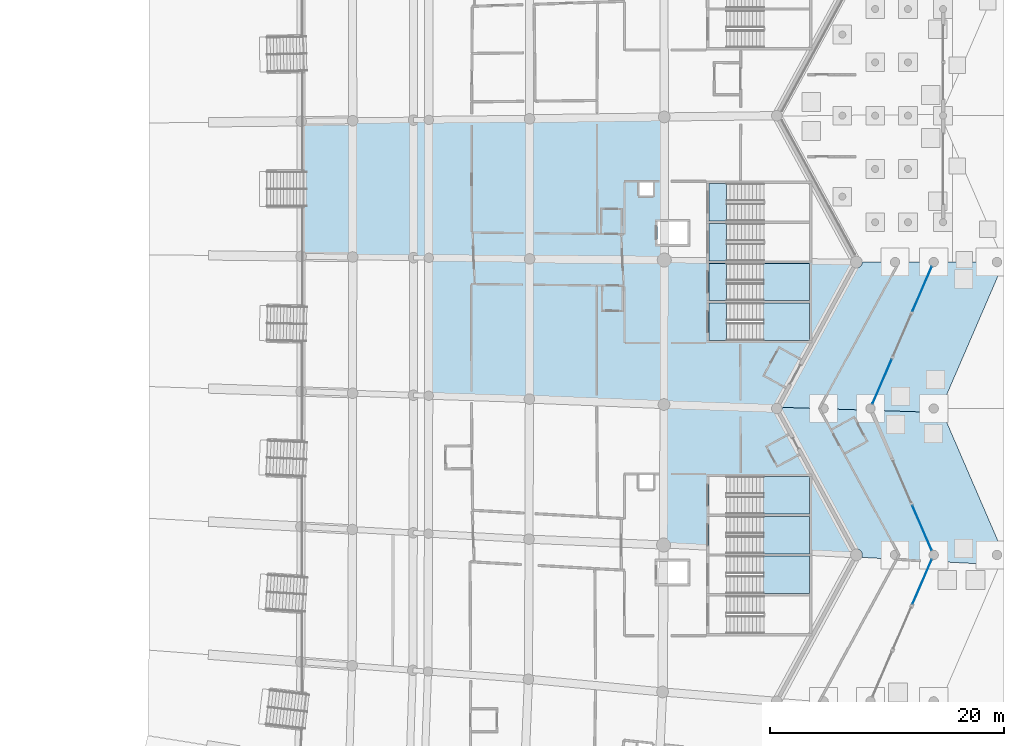
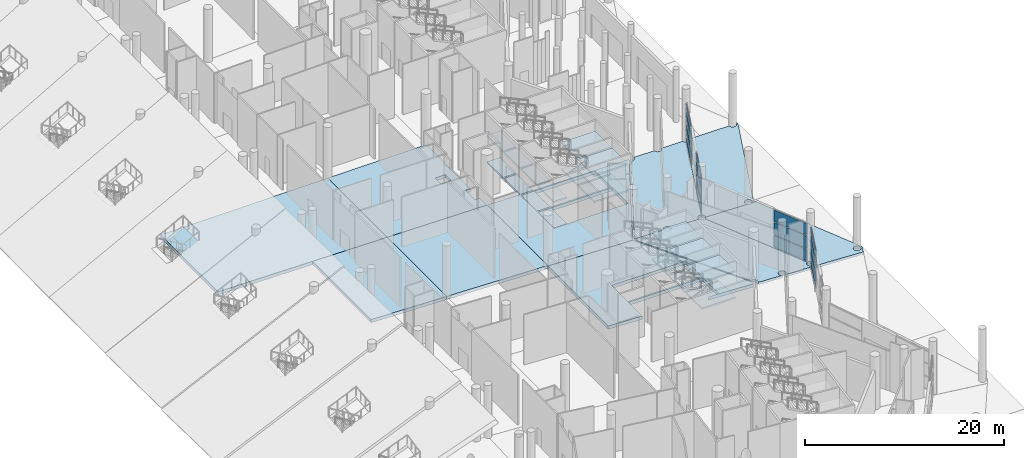
# One storey, part 84 of 255: 28 slabs, 12 plates, 11 elements without a shape of their own.
"""IFC4 building model written with IfcOpenShell, lengths in metres."""

from ifc_helpers import new_model, si_unit, direction, frame, origin, origin_2d, place, context, subcontext, project, spatial, polyline, rectangle, outline, extrude, material, layer, layer_set, type_object, element, aggregate, save


model = new_model("IFC4")

# Units and contexts
model_context = context("Model", 3, precision=1e-05, world=origin(), true_north=direction((0.0, 1.0)))
body_context = subcontext(model_context, "Body", "Model", "MODEL_VIEW")
ifc_project = project(units=[si_unit("LENGTHUNIT", "METRE"), si_unit("AREAUNIT", "SQUARE_METRE"), si_unit("VOLUMEUNIT", "CUBIC_METRE"), si_unit("PLANEANGLEUNIT", "RADIAN"), si_unit("MASSUNIT", "GRAM", prefix="KILO")], contexts=[model_context])

# Site, building, storey
site_placement = place(None, origin())
site = spatial("IfcSite", under=ifc_project, at=site_placement, CompositionType="ELEMENT")
building_placement = place(site_placement, origin())
building = spatial("IfcBuilding", under=site, at=building_placement, Name="Meseta Stadium", CompositionType="ELEMENT")
storey_placement = place(building_placement, origin())
storey = spatial("IfcBuildingStorey", under=building, at=storey_placement, Name="L00", CompositionType="ELEMENT", Elevation=0.0)

# Slabs
ifc_material_1 = material(Name="Concrete C40/50", Category="concrete")
ifc_layer_1 = layer(ifc_material_1, 0.39990234375)
ifc_layer_set_1 = layer_set([ifc_layer_1], Name="Floor slab 400")
slab_type_1 = type_object("IfcSlabType", Name="Floor slab 400", PredefinedType="FLOOR", material=ifc_layer_set_1)
slab_1_placement = place(storey_placement, frame((0.0, 0.0, -0.39990234375)))
element("IfcSlab", 1, at=slab_1_placement, inside=storey, type_object=slab_type_1, Name="Floor slab L00 sector 00 panel 07", PredefinedType="FLOOR", context=body_context, shape_type="SweptSolid", body=[
    extrude(outline(polyline([(73.498046875, 5.981201171875), (53.999267578125, 5.767578125), (53.999267578125, -5.767578125), (73.498046875, -5.981201171875), (73.498046875, 5.981201171875)])), origin(), (0.0, 0.0, 1.0), 0.39990234375),
])
slab_2_placement = place(storey_placement, frame((0.0, 0.0, -0.39990234375)))
element("IfcSlab", 2, at=slab_2_placement, inside=storey, type_object=slab_type_1, Name="Floor slab L00 sector 00 panel 11", PredefinedType="FLOOR", context=body_context, shape_type="SweptSolid", body=[
    extrude(outline(polyline([(73.498046875, -5.981201171875), (64.898681640625, -5.886962890625), (64.88720703125, -17.660888671875), (73.482421875, -17.943603515625), (73.498046875, -5.981201171875)])), origin(), (0.0, 0.0, 1.0), 0.39990234375),
])
slab_3_placement = place(storey_placement, frame((0.0, 0.0, -0.39990234375)))
element("IfcSlab", 3, at=slab_3_placement, inside=storey, type_object=slab_type_1, Name="Floor slab L00 sector 00 panel 17", PredefinedType="FLOOR", context=body_context, shape_type="SweptSolid", body=[
    extrude(outline(polyline([(84.99755859375, -6.107421875), (84.99755859375, -4.699951171875), (84.39990234375, -4.699951171875), (84.39990234375, -2.800048828125), (84.997314453125, -2.800048828125), (84.9970703125, 6.107421875), (73.498046875, 5.981201171875), (73.498046875, -5.981201171875), (84.99755859375, -6.107421875)]), holes=[polyline([(82.85009765625, 0.60009765625), (84.050048828125, 0.60009765625), (84.050048828125, -0.60009765625), (82.85009765625, -0.60009765625), (82.85009765625, 0.60009765625)])]), origin(), (0.0, 0.0, 1.0), 0.39990234375),
])
slab_4_placement = place(storey_placement, frame((0.0, 0.0, -0.39990234375)))
element("IfcSlab", 4, at=slab_4_placement, inside=storey, type_object=slab_type_1, Name="Floor slab L00 sector 00 panel 19", PredefinedType="FLOOR", context=body_context, shape_type="SweptSolid", body=[
    extrude(outline(polyline([(84.99755859375, -6.107421875), (73.498046875, -5.981201171875), (73.482421875, -17.943603515625), (84.973388671875, -18.321533203125), (84.99755859375, -6.107421875)])), origin(), (0.0, 0.0, 1.0), 0.39990234375),
])
slab_5_placement = place(storey_placement, frame((0.0, 0.0, -0.39990234375)))
element("IfcSlab", 5, at=slab_5_placement, inside=storey, type_object=slab_type_1, Name="Floor slab L00 sector 00 panel 20", PredefinedType="FLOOR", context=body_context, shape_type="SweptSolid", body=[
    extrude(outline(polyline([(84.97314453125, -18.41064453125), (94.60009765625, -18.75), (101.3798828125, -6.287109375), (88.8798828125, -6.14990234375), (88.800048828125, -6.14990234375), (88.800048828125, -6.149169921875), (84.99755859375, -6.107421875), (84.97314453125, -18.41064453125)]), holes=[polyline([(88.800048828125, -9.75), (97.39990234375, -9.75), (97.39990234375, -12.949951171875), (88.800048828125, -12.949951171875), (88.800048828125, -9.75)]), polyline([(97.39990234375, -6.35009765625), (97.39990234375, -9.550048828125), (88.800048828125, -9.550048828125), (88.800048828125, -6.35009765625), (97.39990234375, -6.35009765625)])]), origin(), (0.0, 0.0, 1.0), 0.39990234375),
])
slab_6_placement = place(storey_placement, frame((0.0, 0.0, -0.39990234375)))
element("IfcSlab", 6, at=slab_6_placement, inside=storey, type_object=slab_type_1, Name="Floor slab L00 sector 00 panel 21", PredefinedType="FLOOR", context=body_context, shape_type="SweptSolid", body=[
    extrude(outline(polyline([(96.176025390625, -31.14990234375), (101.301513671875, -31.430908203125), (101.39990234375, -31.25), (94.60009765625, -18.75), (84.97314453125, -18.41064453125), (84.939697265625, -30.533935546875), (88.800048828125, -30.74560546875), (88.800048828125, -27.949951171875), (97.39990234375, -27.949951171875), (97.39990234375, -31.14990234375), (96.176025390625, -31.14990234375)]), holes=[polyline([(97.39990234375, -27.75), (88.800048828125, -27.75), (88.800048828125, -24.550048828125), (97.39990234375, -24.550048828125), (97.39990234375, -27.75)])]), origin(), (0.0, 0.0, 1.0), 0.39990234375),
])
ifc_material_2 = material(Name="Concrete C40/50", Category="concrete")
ifc_layer_2 = layer(ifc_material_2, 0.300048828125)
ifc_layer_set_2 = layer_set([ifc_layer_2], Name="Passage paving slab 300")
slab_type_2 = type_object("IfcSlabType", Name="Passage paving slab 300", PredefinedType="FLOOR", material=ifc_layer_set_2)
slab_7_placement = place(storey_placement, frame((0.0, 0.0, -0.300048828125)))
element("IfcSlab", 7, at=slab_7_placement, inside=storey, type_object=slab_type_2, Name="Covered passage paving 8 part 2 panel 03", PredefinedType="FLOOR", context=body_context, shape_type="SweptSolid", body=[
    extrude(outline(polyline([(108.60009765625, -18.75), (114.0, -6.25), (113.803466796875, -6.25), (113.789794921875, -6.3544921875), (113.761474609375, -6.4228515625), (113.74951171875, -6.45166015625), (113.685302734375, -6.535400390625), (113.601806640625, -6.599365234375), (113.50439453125, -6.6396484375), (113.39990234375, -6.653564453125), (113.295654296875, -6.6396484375), (113.1982421875, -6.599365234375), (113.11474609375, -6.535400390625), (113.050537109375, -6.45166015625), (113.035400390625, -6.414794921875), (113.01025390625, -6.3544921875), (112.99658203125, -6.25), (108.403564453125, -6.25), (108.3896484375, -6.3544921875), (108.349365234375, -6.45166015625), (108.285400390625, -6.535400390625), (108.20166015625, -6.599365234375), (108.1044921875, -6.6396484375), (108.0, -6.653564453125), (107.8955078125, -6.6396484375), (107.84130859375, -6.6171875), (102.758544921875, -18.3828125), (102.8017578125, -18.400634765625), (102.88525390625, -18.464599609375), (102.949462890625, -18.54833984375), (102.98974609375, -18.6455078125), (103.00341796875, -18.75), (102.98974609375, -18.8544921875), (102.96533203125, -18.913330078125), (107.761474609375, -19.071044921875), (107.714599609375, -19.035400390625), (107.650634765625, -18.95166015625), (107.6103515625, -18.8544921875), (107.596435546875, -18.75), (107.6103515625, -18.6455078125), (107.650634765625, -18.54833984375), (107.714599609375, -18.464599609375), (107.79833984375, -18.400634765625), (107.8955078125, -18.3603515625), (108.0, -18.346435546875), (108.1044921875, -18.3603515625), (108.20166015625, -18.400634765625), (108.285400390625, -18.464599609375), (108.349365234375, -18.54833984375), (108.3896484375, -18.6455078125), (108.403564453125, -18.75), (108.3896484375, -18.8544921875), (108.349365234375, -18.95166015625), (108.285400390625, -19.035400390625), (108.218994140625, -19.086181640625), (108.752685546875, -19.103759765625), (108.60009765625, -18.75)])), origin(), (0.0, 0.0, 1.0), 0.300048828125),
])
slab_8_placement = place(storey_placement, frame((0.0, 0.0, -0.300048828125)))
element("IfcSlab", 8, at=slab_8_placement, inside=storey, type_object=slab_type_2, Name="Covered passage paving 8 part 2 panel 04", PredefinedType="FLOOR", context=body_context, shape_type="SweptSolid", body=[
    extrude(outline(polyline([(113.6298828125, -32.10693359375), (114.0, -31.25), (108.752685546875, -19.103759765625), (108.218994140625, -19.086181640625), (108.20166015625, -19.099365234375), (108.1044921875, -19.1396484375), (108.0, -19.153564453125), (107.8955078125, -19.1396484375), (107.79833984375, -19.099365234375), (107.761474609375, -19.071044921875), (102.96533203125, -18.913330078125), (102.949462890625, -18.95166015625), (102.88525390625, -19.035400390625), (102.8017578125, -19.099365234375), (102.758544921875, -19.1171875), (107.84130859375, -30.8828125), (107.8955078125, -30.8603515625), (108.0, -30.846435546875), (108.1044921875, -30.8603515625), (108.20166015625, -30.900634765625), (108.285400390625, -30.964599609375), (108.349365234375, -31.04833984375), (108.3896484375, -31.1455078125), (108.403564453125, -31.25), (108.3896484375, -31.3544921875), (108.349365234375, -31.45166015625), (108.285400390625, -31.535400390625), (108.20166015625, -31.599365234375), (108.1044921875, -31.6396484375), (108.0, -31.653564453125), (107.8955078125, -31.6396484375), (107.84130859375, -31.6171875), (107.768798828125, -31.78564453125), (113.6298828125, -32.10693359375)]), holes=[polyline([(113.601806640625, -31.599365234375), (113.50439453125, -31.6396484375), (113.39990234375, -31.653564453125), (113.295654296875, -31.6396484375), (113.1982421875, -31.599365234375), (113.11474609375, -31.535400390625), (113.050537109375, -31.45166015625), (113.01025390625, -31.3544921875), (112.99658203125, -31.25), (113.01025390625, -31.1455078125), (113.050537109375, -31.04833984375), (113.11474609375, -30.964599609375), (113.1982421875, -30.900634765625), (113.295654296875, -30.8603515625), (113.39990234375, -30.846435546875), (113.50439453125, -30.8603515625), (113.601806640625, -30.900634765625), (113.685302734375, -30.964599609375), (113.74951171875, -31.04833984375), (113.789794921875, -31.1455078125), (113.803466796875, -31.25), (113.789794921875, -31.3544921875), (113.74951171875, -31.45166015625), (113.685302734375, -31.535400390625), (113.601806640625, -31.599365234375)])]), origin(), (0.0, 0.0, 1.0), 0.300048828125),
])

# Curtain wall, plates
ifc_material_3 = material(Name="Aluminium", Category="aluminium")
ifc_layer_3 = layer(ifc_material_3, 0.199951171875)
ifc_layer_set_3 = layer_set([ifc_layer_3], Name="Ring shopfront curtain wall")
curtain_wall_type = type_object("IfcCurtainWallType", Name="Ring shopfront curtain wall", PredefinedType="NOTDEFINED", material=ifc_layer_set_3)
curtain_wall_1_placement = place(storey_placement, origin())
curtain_wall_1 = element("IfcCurtainWall", 9, at=curtain_wall_1_placement, inside=storey, type_object=curtain_wall_type, Name="Shopfront glazing F01b", PredefinedType="NOTDEFINED")
ifc_material_4 = material(Name="Glass", Category="glass")
ifc_layer_4 = layer(ifc_material_4, 0.035888671875)
ifc_layer_set_4 = layer_set([ifc_layer_4], Name="Ring CW glass panel 36")
plate_type = type_object("IfcPlateType", Name="Ring CW glass panel 36", PredefinedType="CURTAIN_PANEL", material=ifc_layer_set_4)
plate_1_placement = place(storey_placement, frame((107.0068359375, -33.548828125, 0.150146484375), z_axis=(0.0, 0.0, 1.0), x_axis=(0.396576208678, 0.918001803218, 0.0)))
plate_1 = element("IfcPlate", 10, at=plate_1_placement, type_object=plate_type, Name="CWR1 panel 1.1", PredefinedType="CURTAIN_PANEL", context=body_context, shape_type="SweptSolid", body=[
    extrude(rectangle(XDim=4.08837890625, YDim=0.035888671875, at=origin_2d()), origin(), (0.0, 0.0, 1.0), 1.3916015625),
])
plate_2_placement = place(storey_placement, frame((107.0068359375, -33.548828125, 1.69189453125), z_axis=(0.0, 0.0, 1.0), x_axis=(0.396576208678, 0.918001803218, 0.0)))
plate_2 = element("IfcPlate", 11, at=plate_2_placement, type_object=plate_type, Name="CWR1 panel 1.2", PredefinedType="CURTAIN_PANEL", context=body_context, shape_type="SweptSolid", body=[
    extrude(rectangle(XDim=4.08837890625, YDim=0.035888671875, at=origin_2d()), origin(), (0.0, 0.0, 1.0), 1.466552734375),
])
plate_3_placement = place(storey_placement, frame((107.0068359375, -33.548828125, 3.308349609375), z_axis=(0.0, 0.0, 1.0), x_axis=(0.396576208678, 0.918001803218, 0.0)))
plate_3 = element("IfcPlate", 12, at=plate_3_placement, type_object=plate_type, Name="CWR1 panel 1.3", PredefinedType="CURTAIN_PANEL", context=body_context, shape_type="SweptSolid", body=[
    extrude(rectangle(XDim=4.08837890625, YDim=0.035888671875, at=origin_2d()), origin(), (0.0, 0.0, 1.0), 1.3916015625),
])
aggregate(curtain_wall_1, [plate_1, plate_2, plate_3])

curtain_wall_2_placement = place(storey_placement, origin())
curtain_wall_2 = element("IfcCurtainWall", 13, at=curtain_wall_2_placement, inside=storey, type_object=curtain_wall_type, Name="Shopfront glazing F02a", PredefinedType="NOTDEFINED")
plate_4_placement = place(storey_placement, frame((107.0068359375, -28.951171875, 0.150146484375), z_axis=(0.0, 0.0, 1.0), x_axis=(-0.396576208678, 0.918001803218, 0.0)))
plate_4 = element("IfcPlate", 14, at=plate_4_placement, type_object=plate_type, Name="CWR1 panel 1.1", PredefinedType="CURTAIN_PANEL", context=body_context, shape_type="SweptSolid", body=[
    extrude(rectangle(XDim=4.08837890625, YDim=0.035888671875, at=origin_2d()), origin(), (0.0, 0.0, 1.0), 1.3916015625),
])
plate_5_placement = place(storey_placement, frame((107.0068359375, -28.951171875, 1.69189453125), z_axis=(0.0, 0.0, 1.0), x_axis=(-0.396576208678, 0.918001803218, 0.0)))
plate_5 = element("IfcPlate", 15, at=plate_5_placement, type_object=plate_type, Name="CWR1 panel 1.2", PredefinedType="CURTAIN_PANEL", context=body_context, shape_type="SweptSolid", body=[
    extrude(rectangle(XDim=4.08837890625, YDim=0.035888671875, at=origin_2d()), origin(), (0.0, 0.0, 1.0), 1.466552734375),
])
plate_6_placement = place(storey_placement, frame((107.0068359375, -28.951171875, 3.308349609375), z_axis=(0.0, 0.0, 1.0), x_axis=(-0.396576208678, 0.918001803218, 0.0)))
plate_6 = element("IfcPlate", 16, at=plate_6_placement, type_object=plate_type, Name="CWR1 panel 1.3", PredefinedType="CURTAIN_PANEL", context=body_context, shape_type="SweptSolid", body=[
    extrude(rectangle(XDim=4.08837890625, YDim=0.035888671875, at=origin_2d()), origin(), (0.0, 0.0, 1.0), 1.3916015625),
])
aggregate(curtain_wall_2, [plate_4, plate_5, plate_6])

curtain_wall_3_placement = place(storey_placement, origin())
curtain_wall_3 = element("IfcCurtainWall", 17, at=curtain_wall_3_placement, inside=storey, type_object=curtain_wall_type, Name="Shopfront glazing F03a", PredefinedType="NOTDEFINED")
plate_7_placement = place(storey_placement, frame((103.593017578125, -16.451171875, 0.150146484375), z_axis=(0.0, 0.0, 1.0), x_axis=(0.396576208678, 0.918001803218, 0.0)))
plate_7 = element("IfcPlate", 18, at=plate_7_placement, type_object=plate_type, Name="CWR1 panel 1.1", PredefinedType="CURTAIN_PANEL", context=body_context, shape_type="SweptSolid", body=[
    extrude(rectangle(XDim=4.08837890625, YDim=0.035888671875, at=origin_2d()), origin(), (0.0, 0.0, 1.0), 1.3916015625),
])
plate_8_placement = place(storey_placement, frame((103.593017578125, -16.451171875, 1.69189453125), z_axis=(0.0, 0.0, 1.0), x_axis=(0.396576208678, 0.918001803218, 0.0)))
plate_8 = element("IfcPlate", 19, at=plate_8_placement, type_object=plate_type, Name="CWR1 panel 1.2", PredefinedType="CURTAIN_PANEL", context=body_context, shape_type="SweptSolid", body=[
    extrude(rectangle(XDim=4.08837890625, YDim=0.035888671875, at=origin_2d()), origin(), (0.0, 0.0, 1.0), 1.466552734375),
])
plate_9_placement = place(storey_placement, frame((103.593017578125, -16.451171875, 3.308349609375), z_axis=(0.0, 0.0, 1.0), x_axis=(0.396576208678, 0.918001803218, 0.0)))
plate_9 = element("IfcPlate", 20, at=plate_9_placement, type_object=plate_type, Name="CWR1 panel 1.3", PredefinedType="CURTAIN_PANEL", context=body_context, shape_type="SweptSolid", body=[
    extrude(rectangle(XDim=4.08837890625, YDim=0.035888671875, at=origin_2d()), origin(), (0.0, 0.0, 1.0), 1.3916015625),
])
aggregate(curtain_wall_3, [plate_7, plate_8, plate_9])

curtain_wall_4_placement = place(storey_placement, origin())
curtain_wall_4 = element("IfcCurtainWall", 21, at=curtain_wall_4_placement, inside=storey, type_object=curtain_wall_type, Name="Shopfront glazing F03b", PredefinedType="NOTDEFINED")
plate_10_placement = place(storey_placement, frame((107.0068359375, -8.548828125, 0.150146484375), z_axis=(0.0, 0.0, 1.0), x_axis=(0.396576208678, 0.918001803218, 0.0)))
plate_10 = element("IfcPlate", 22, at=plate_10_placement, type_object=plate_type, Name="CWR1 panel 1.1", PredefinedType="CURTAIN_PANEL", context=body_context, shape_type="SweptSolid", body=[
    extrude(rectangle(XDim=4.08837890625, YDim=0.035888671875, at=origin_2d()), origin(), (0.0, 0.0, 1.0), 1.3916015625),
])
plate_11_placement = place(storey_placement, frame((107.0068359375, -8.548828125, 1.69189453125), z_axis=(0.0, 0.0, 1.0), x_axis=(0.396576208678, 0.918001803218, 0.0)))
plate_11 = element("IfcPlate", 23, at=plate_11_placement, type_object=plate_type, Name="CWR1 panel 1.2", PredefinedType="CURTAIN_PANEL", context=body_context, shape_type="SweptSolid", body=[
    extrude(rectangle(XDim=4.08837890625, YDim=0.035888671875, at=origin_2d()), origin(), (0.0, 0.0, 1.0), 1.466552734375),
])
plate_12_placement = place(storey_placement, frame((107.0068359375, -8.548828125, 3.308349609375), z_axis=(0.0, 0.0, 1.0), x_axis=(0.396576208678, 0.918001803218, 0.0)))
plate_12 = element("IfcPlate", 24, at=plate_12_placement, type_object=plate_type, Name="CWR1 panel 1.3", PredefinedType="CURTAIN_PANEL", context=body_context, shape_type="SweptSolid", body=[
    extrude(rectangle(XDim=4.08837890625, YDim=0.035888671875, at=origin_2d()), origin(), (0.0, 0.0, 1.0), 1.3916015625),
])
aggregate(curtain_wall_4, [plate_10, plate_11, plate_12])

# Slabs
ifc_material_5 = material(Name="Concrete C30/37", Category="concrete")
ifc_layer_5 = layer(ifc_material_5, 0.300048828125)
ifc_layer_set_5 = layer_set([ifc_layer_5], Name="Ring grade slab 300")
slab_type_3 = type_object("IfcSlabType", Name="Ring grade slab 300", PredefinedType="BASESLAB", material=ifc_layer_set_5)
slab_9_placement = place(storey_placement, frame((0.0, 0.0, -0.300048828125)))
element("IfcSlab", 25, at=slab_9_placement, inside=storey, type_object=slab_type_3, Name="Ring ground floor slab 8 part 2 panel 03", PredefinedType="BASESLAB", context=body_context, shape_type="SweptSolid", body=[
    extrude(outline(polyline([(102.704345703125, -18.3603515625), (102.758544921875, -18.3828125), (107.84130859375, -6.6171875), (107.79833984375, -6.599365234375), (107.714599609375, -6.535400390625), (107.650634765625, -6.45166015625), (107.610595703125, -6.35546875), (107.596435546875, -6.25), (105.103515625, -6.25), (105.089599609375, -6.3544921875), (105.04931640625, -6.45166015625), (104.9853515625, -6.535400390625), (104.901611328125, -6.599365234375), (104.804443359375, -6.6396484375), (104.699951171875, -6.653564453125), (104.595703125, -6.6396484375), (104.498291015625, -6.599365234375), (104.414794921875, -6.535400390625), (104.3505859375, -6.45166015625), (104.310302734375, -6.3544921875), (104.29638671875, -6.25), (101.904296875, -6.25), (101.88720703125, -6.380615234375), (101.836669921875, -6.502197265625), (101.756591796875, -6.606689453125), (101.652099609375, -6.686767578125), (101.530517578125, -6.737060546875), (101.39990234375, -6.75439453125), (101.30322265625, -6.74169921875), (94.935302734375, -18.44775390625), (94.9931640625, -18.523193359375), (95.038330078125, -18.632568359375), (95.041015625, -18.652587890625), (98.197509765625, -18.756591796875), (98.196533203125, -18.75), (98.210205078125, -18.6455078125), (98.25048828125, -18.54833984375), (98.314697265625, -18.464599609375), (98.398193359375, -18.400634765625), (98.49560546875, -18.3603515625), (98.60009765625, -18.346435546875), (98.704345703125, -18.3603515625), (98.8017578125, -18.400634765625), (98.88525390625, -18.464599609375), (98.949462890625, -18.54833984375), (98.98974609375, -18.6455078125), (99.00341796875, -18.75), (98.999267578125, -18.782958984375), (102.224609375, -18.888916015625), (102.210205078125, -18.8544921875), (102.196533203125, -18.75), (102.210205078125, -18.6455078125), (102.25048828125, -18.54833984375), (102.314697265625, -18.464599609375), (102.398193359375, -18.400634765625), (102.49560546875, -18.3603515625), (102.60009765625, -18.346435546875), (102.704345703125, -18.3603515625)])), origin(), (0.0, 0.0, 1.0), 0.300048828125),
])
slab_10_placement = place(storey_placement, frame((0.0, 0.0, -0.300048828125)))
element("IfcSlab", 26, at=slab_10_placement, inside=storey, type_object=slab_type_3, Name="Ring ground floor slab 8 part 2 panel 04", PredefinedType="BASESLAB", context=body_context, shape_type="SweptSolid", body=[
    extrude(outline(polyline([(102.314697265625, -19.035400390625), (102.25048828125, -18.95166015625), (102.224609375, -18.888916015625), (98.999267578125, -18.782958984375), (98.98974609375, -18.8544921875), (98.949462890625, -18.95166015625), (98.88525390625, -19.035400390625), (98.8017578125, -19.099365234375), (98.704345703125, -19.1396484375), (98.60009765625, -19.153564453125), (98.49560546875, -19.1396484375), (98.398193359375, -19.099365234375), (98.314697265625, -19.035400390625), (98.25048828125, -18.95166015625), (98.210205078125, -18.8544921875), (98.197509765625, -18.756591796875), (95.041015625, -18.652587890625), (95.053955078125, -18.75), (95.038330078125, -18.867431640625), (94.9931640625, -18.976806640625), (94.935302734375, -19.05224609375), (101.30322265625, -30.75830078125), (101.39990234375, -30.74560546875), (101.530517578125, -30.762939453125), (101.652099609375, -30.813232421875), (101.756591796875, -30.893310546875), (101.836669921875, -30.997802734375), (101.88720703125, -31.119384765625), (101.904296875, -31.25), (101.88720703125, -31.380615234375), (101.853515625, -31.461181640625), (104.517333984375, -31.607421875), (104.498291015625, -31.599365234375), (104.414794921875, -31.535400390625), (104.3505859375, -31.45166015625), (104.310302734375, -31.3544921875), (104.29638671875, -31.25), (104.310302734375, -31.1455078125), (104.3505859375, -31.04833984375), (104.414794921875, -30.964599609375), (104.498291015625, -30.900634765625), (104.595703125, -30.8603515625), (104.699951171875, -30.846435546875), (104.804443359375, -30.8603515625), (104.901611328125, -30.900634765625), (104.9853515625, -30.964599609375), (105.04931640625, -31.04833984375), (105.089599609375, -31.1455078125), (105.103515625, -31.25), (105.089599609375, -31.3544921875), (105.04931640625, -31.45166015625), (104.9853515625, -31.535400390625), (104.901611328125, -31.599365234375), (104.83984375, -31.625), (107.768798828125, -31.78564453125), (107.84130859375, -31.6171875), (107.79833984375, -31.599365234375), (107.714599609375, -31.535400390625), (107.650634765625, -31.45166015625), (107.6103515625, -31.3544921875), (107.596435546875, -31.25), (107.6103515625, -31.1455078125), (107.650634765625, -31.04833984375), (107.714599609375, -30.964599609375), (107.79833984375, -30.900634765625), (107.84130859375, -30.8828125), (102.758544921875, -19.1171875), (102.704345703125, -19.1396484375), (102.60009765625, -19.153564453125), (102.49560546875, -19.1396484375), (102.398193359375, -19.099365234375), (102.314697265625, -19.035400390625)])), origin(), (0.0, 0.0, 1.0), 0.300048828125),
])

# Stair, slabs
ifc_material_6 = material(Name="Concrete C40/50", Category="concrete")
stair_type = type_object("IfcStairType", Name="Exit stair 4 flights 148 mm risers", PredefinedType="HALF_TURN_STAIR", material=ifc_material_6)
stair_1_placement = place(storey_placement, origin())
stair_1 = element("IfcStair", 27, at=stair_1_placement, inside=storey, type_object=stair_type, Name="ST6 L00", PredefinedType="HALF_TURN_STAIR")
ifc_material_7 = material(Name="Concrete C40/50", Category="concrete")
ifc_layer_6 = layer(ifc_material_7, 0.199951171875)
ifc_layer_set_6 = layer_set([ifc_layer_6], Name="Stair landing 200")
slab_type_4 = type_object("IfcSlabType", Name="Stair landing 200", PredefinedType="LANDING", material=ifc_layer_set_6)
slab_11_placement = place(storey_placement, frame((0.0, 0.0, 1.425048828125)))
slab_11 = element("IfcSlab", 28, at=slab_11_placement, type_object=slab_type_4, Name="ST6 L00 landing 1", PredefinedType="LANDING", context=body_context, shape_type="SweptSolid", body=[
    extrude(outline(polyline([(93.489990234375, -34.550048828125), (97.39990234375, -34.550048828125), (97.39990234375, -31.35009765625), (93.489990234375, -31.35009765625), (93.489990234375, -34.550048828125)])), origin(), (0.0, 0.0, 1.0), 0.199951171875),
])
slab_12_placement = place(storey_placement, frame((0.0, 0.0, 4.675048828125)))
slab_12 = element("IfcSlab", 29, at=slab_12_placement, type_object=slab_type_4, Name="ST6 L00 landing 3", PredefinedType="LANDING", context=body_context, shape_type="SweptSolid", body=[
    extrude(outline(polyline([(93.489990234375, -34.550048828125), (97.39990234375, -34.550048828125), (97.39990234375, -31.35009765625), (93.489990234375, -31.35009765625), (93.489990234375, -34.550048828125)])), origin(), (0.0, 0.0, 1.0), 0.199951171875),
])
aggregate(stair_1, [slab_11, slab_12])

stair_2_placement = place(storey_placement, origin())
stair_2 = element("IfcStair", 30, at=stair_2_placement, inside=storey, type_object=stair_type, Name="ST7 L00", PredefinedType="HALF_TURN_STAIR")
slab_13_placement = place(storey_placement, frame((0.0, 0.0, 1.425048828125)))
slab_13 = element("IfcSlab", 31, at=slab_13_placement, type_object=slab_type_4, Name="ST7 L00 landing 1", PredefinedType="LANDING", context=body_context, shape_type="SweptSolid", body=[
    extrude(outline(polyline([(93.489990234375, -31.14990234375), (97.39990234375, -31.14990234375), (97.39990234375, -27.949951171875), (93.489990234375, -27.949951171875), (93.489990234375, -31.14990234375)])), origin(), (0.0, 0.0, 1.0), 0.199951171875),
])
slab_14_placement = place(storey_placement, frame((0.0, 0.0, 4.675048828125)))
slab_14 = element("IfcSlab", 32, at=slab_14_placement, type_object=slab_type_4, Name="ST7 L00 landing 3", PredefinedType="LANDING", context=body_context, shape_type="SweptSolid", body=[
    extrude(outline(polyline([(93.489990234375, -31.14990234375), (97.39990234375, -31.14990234375), (97.39990234375, -27.949951171875), (93.489990234375, -27.949951171875), (93.489990234375, -31.14990234375)])), origin(), (0.0, 0.0, 1.0), 0.199951171875),
])
aggregate(stair_2, [slab_13, slab_14])

stair_3_placement = place(storey_placement, origin())
stair_3 = element("IfcStair", 33, at=stair_3_placement, inside=storey, type_object=stair_type, Name="ST8 L00", PredefinedType="HALF_TURN_STAIR")
slab_15_placement = place(storey_placement, frame((0.0, 0.0, 1.425048828125)))
slab_15 = element("IfcSlab", 34, at=slab_15_placement, type_object=slab_type_4, Name="ST8 L00 landing 1", PredefinedType="LANDING", context=body_context, shape_type="SweptSolid", body=[
    extrude(outline(polyline([(93.489990234375, -27.75), (97.39990234375, -27.75), (97.39990234375, -24.550048828125), (93.489990234375, -24.550048828125), (93.489990234375, -27.75)])), origin(), (0.0, 0.0, 1.0), 0.199951171875),
])
slab_16_placement = place(storey_placement, frame((0.0, 0.0, 4.675048828125)))
slab_16 = element("IfcSlab", 35, at=slab_16_placement, type_object=slab_type_4, Name="ST8 L00 landing 3", PredefinedType="LANDING", context=body_context, shape_type="SweptSolid", body=[
    extrude(outline(polyline([(93.489990234375, -27.75), (97.39990234375, -27.75), (97.39990234375, -24.550048828125), (93.489990234375, -24.550048828125), (93.489990234375, -27.75)])), origin(), (0.0, 0.0, 1.0), 0.199951171875),
])
aggregate(stair_3, [slab_15, slab_16])

stair_4_placement = place(storey_placement, origin())
stair_4 = element("IfcStair", 36, at=stair_4_placement, inside=storey, type_object=stair_type, Name="ST9 L00", PredefinedType="HALF_TURN_STAIR")
slab_17_placement = place(storey_placement, frame((0.0, 0.0, 1.425048828125)))
slab_17 = element("IfcSlab", 37, at=slab_17_placement, type_object=slab_type_4, Name="ST9 L00 landing 1", PredefinedType="LANDING", context=body_context, shape_type="SweptSolid", body=[
    extrude(outline(polyline([(93.489990234375, -12.949951171875), (97.39990234375, -12.949951171875), (97.39990234375, -9.75), (93.489990234375, -9.75), (93.489990234375, -12.949951171875)])), origin(), (0.0, 0.0, 1.0), 0.199951171875),
])
slab_18_placement = place(storey_placement, frame((0.0, 0.0, 3.050048828125)))
slab_18 = element("IfcSlab", 38, at=slab_18_placement, type_object=slab_type_4, Name="ST9 L00 landing 2", PredefinedType="LANDING", context=body_context, shape_type="SweptSolid", body=[
    extrude(outline(polyline([(88.800048828125, -12.949951171875), (90.31005859375, -12.949951171875), (90.31005859375, -9.75), (88.800048828125, -9.75), (88.800048828125, -12.949951171875)])), origin(), (0.0, 0.0, 1.0), 0.199951171875),
])
slab_19_placement = place(storey_placement, frame((0.0, 0.0, 4.675048828125)))
slab_19 = element("IfcSlab", 39, at=slab_19_placement, type_object=slab_type_4, Name="ST9 L00 landing 3", PredefinedType="LANDING", context=body_context, shape_type="SweptSolid", body=[
    extrude(outline(polyline([(93.489990234375, -12.949951171875), (97.39990234375, -12.949951171875), (97.39990234375, -9.75), (93.489990234375, -9.75), (93.489990234375, -12.949951171875)])), origin(), (0.0, 0.0, 1.0), 0.199951171875),
])
slab_20_placement = place(storey_placement, frame((0.0, 0.0, -0.199951171875)))
slab_20 = element("IfcSlab", 40, at=slab_20_placement, type_object=slab_type_4, Name="ST9 L00 landing 4", PredefinedType="LANDING", context=body_context, shape_type="SweptSolid", body=[
    extrude(outline(polyline([(88.800048828125, -12.949951171875), (90.31005859375, -12.949951171875), (90.31005859375, -9.75), (88.800048828125, -9.75), (88.800048828125, -12.949951171875)])), origin(), (0.0, 0.0, 1.0), 0.199951171875),
])
aggregate(stair_4, [slab_17, slab_18, slab_19, slab_20])

stair_5_placement = place(storey_placement, origin())
stair_5 = element("IfcStair", 41, at=stair_5_placement, inside=storey, type_object=stair_type, Name="ST10 L00", PredefinedType="HALF_TURN_STAIR")
slab_21_placement = place(storey_placement, frame((0.0, 0.0, 1.425048828125)))
slab_21 = element("IfcSlab", 42, at=slab_21_placement, type_object=slab_type_4, Name="ST10 L00 landing 1", PredefinedType="LANDING", context=body_context, shape_type="SweptSolid", body=[
    extrude(outline(polyline([(93.489990234375, -9.550048828125), (97.39990234375, -9.550048828125), (97.39990234375, -6.35009765625), (93.489990234375, -6.35009765625), (93.489990234375, -9.550048828125)])), origin(), (0.0, 0.0, 1.0), 0.199951171875),
])
slab_22_placement = place(storey_placement, frame((0.0, 0.0, 3.050048828125)))
slab_22 = element("IfcSlab", 43, at=slab_22_placement, type_object=slab_type_4, Name="ST10 L00 landing 2", PredefinedType="LANDING", context=body_context, shape_type="SweptSolid", body=[
    extrude(outline(polyline([(88.800048828125, -9.550048828125), (90.31005859375, -9.550048828125), (90.31005859375, -6.35009765625), (88.800048828125, -6.35009765625), (88.800048828125, -9.550048828125)])), origin(), (0.0, 0.0, 1.0), 0.199951171875),
])
slab_23_placement = place(storey_placement, frame((0.0, 0.0, 4.675048828125)))
slab_23 = element("IfcSlab", 44, at=slab_23_placement, type_object=slab_type_4, Name="ST10 L00 landing 3", PredefinedType="LANDING", context=body_context, shape_type="SweptSolid", body=[
    extrude(outline(polyline([(93.489990234375, -9.550048828125), (97.39990234375, -9.550048828125), (97.39990234375, -6.35009765625), (93.489990234375, -6.35009765625), (93.489990234375, -9.550048828125)])), origin(), (0.0, 0.0, 1.0), 0.199951171875),
])
slab_24_placement = place(storey_placement, frame((0.0, 0.0, -0.199951171875)))
slab_24 = element("IfcSlab", 45, at=slab_24_placement, type_object=slab_type_4, Name="ST10 L00 landing 4", PredefinedType="LANDING", context=body_context, shape_type="SweptSolid", body=[
    extrude(outline(polyline([(88.800048828125, -9.550048828125), (90.31005859375, -9.550048828125), (90.31005859375, -6.35009765625), (88.800048828125, -6.35009765625), (88.800048828125, -9.550048828125)])), origin(), (0.0, 0.0, 1.0), 0.199951171875),
])
aggregate(stair_5, [slab_21, slab_22, slab_23, slab_24])

stair_6_placement = place(storey_placement, origin())
stair_6 = element("IfcStair", 46, at=stair_6_placement, inside=storey, type_object=stair_type, Name="ST11 L00", PredefinedType="HALF_TURN_STAIR")
slab_25_placement = place(storey_placement, frame((0.0, 0.0, 3.050048828125)))
slab_25 = element("IfcSlab", 47, at=slab_25_placement, type_object=slab_type_4, Name="ST11 L00 landing 2", PredefinedType="LANDING", context=body_context, shape_type="SweptSolid", body=[
    extrude(outline(polyline([(88.800048828125, -6.14990234375), (90.31005859375, -6.14990234375), (90.31005859375, -2.949951171875), (88.800048828125, -2.949951171875), (88.800048828125, -6.14990234375)])), origin(), (0.0, 0.0, 1.0), 0.199951171875),
])
slab_26_placement = place(storey_placement, frame((0.0, 0.0, -0.199951171875)))
slab_26 = element("IfcSlab", 48, at=slab_26_placement, type_object=slab_type_4, Name="ST11 L00 landing 4", PredefinedType="LANDING", context=body_context, shape_type="SweptSolid", body=[
    extrude(outline(polyline([(88.800048828125, -6.14990234375), (90.31005859375, -6.14990234375), (90.31005859375, -2.949951171875), (88.800048828125, -2.949951171875), (88.800048828125, -6.14990234375)])), origin(), (0.0, 0.0, 1.0), 0.199951171875),
])
aggregate(stair_6, [slab_25, slab_26])

stair_7_placement = place(storey_placement, origin())
stair_7 = element("IfcStair", 49, at=stair_7_placement, inside=storey, type_object=stair_type, Name="ST12 L00", PredefinedType="HALF_TURN_STAIR")
slab_27_placement = place(storey_placement, frame((0.0, 0.0, 3.050048828125)))
slab_27 = element("IfcSlab", 50, at=slab_27_placement, type_object=slab_type_4, Name="ST12 L00 landing 2", PredefinedType="LANDING", context=body_context, shape_type="SweptSolid", body=[
    extrude(outline(polyline([(88.800048828125, -2.75), (90.31005859375, -2.75), (90.31005859375, 0.449951171875), (88.800048828125, 0.449951171875), (88.800048828125, -2.75)])), origin(), (0.0, 0.0, 1.0), 0.199951171875),
])
slab_28_placement = place(storey_placement, frame((0.0, 0.0, -0.199951171875)))
slab_28 = element("IfcSlab", 51, at=slab_28_placement, type_object=slab_type_4, Name="ST12 L00 landing 4", PredefinedType="LANDING", context=body_context, shape_type="SweptSolid", body=[
    extrude(outline(polyline([(88.800048828125, -2.75), (90.31005859375, -2.75), (90.31005859375, 0.449951171875), (88.800048828125, 0.449951171875), (88.800048828125, -2.75)])), origin(), (0.0, 0.0, 1.0), 0.199951171875),
])
aggregate(stair_7, [slab_27, slab_28])

save(model, "model.ifc")
